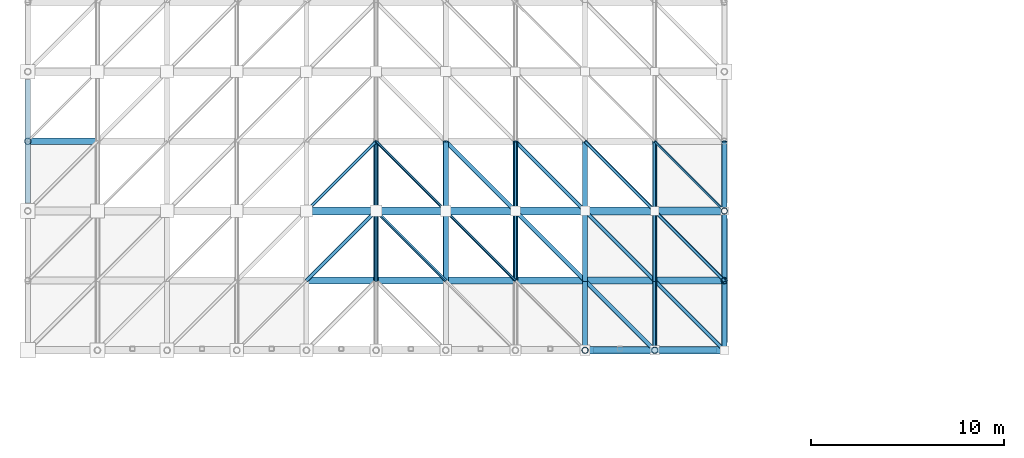
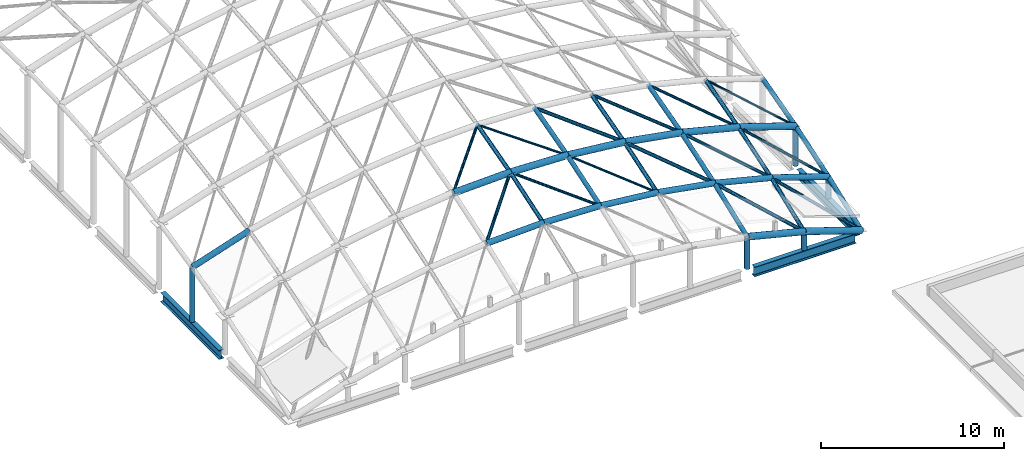
# One storey, part 3 of 40: 49 members, 3 beams.
"""IFC4 building model written with IfcOpenShell, lengths in metres."""

from ifc_helpers import new_model, si_unit, direction, frame, origin, origin_2d, place, context, subcontext, project, spatial, hollow_circle, i_section, extrude, material, material_profile, profile_set, type_object, element, save


model = new_model("IFC4")

# Units and contexts
model_context = context("Model", 3, precision=1e-05, world=origin(), true_north=direction((0.0, 1.0)))
body_context = subcontext(model_context, "Body", "Model", "MODEL_VIEW")
ifc_project = project(units=[si_unit("LENGTHUNIT", "METRE"), si_unit("AREAUNIT", "SQUARE_METRE"), si_unit("VOLUMEUNIT", "CUBIC_METRE"), si_unit("PLANEANGLEUNIT", "RADIAN"), si_unit("MASSUNIT", "GRAM", prefix="KILO")], contexts=[model_context])

# Site, building, storey
site_placement = place(None, origin())
site = spatial("IfcSite", under=ifc_project, at=site_placement, CompositionType="ELEMENT")
building_placement = place(site_placement, origin())
building = spatial("IfcBuilding", under=site, at=building_placement, Name="Kavelor Marine Aquarium", CompositionType="ELEMENT")
storey_placement = place(building_placement, frame((0.0, 0.0, 17.639892578125)))
storey = spatial("IfcBuildingStorey", under=building, at=storey_placement, Name="L04", CompositionType="ELEMENT", Elevation=17.639892578125)

# Beams
ifc_material_1 = material(Name="Steel S355", Category="steel")
ifc_material_profile_1 = material_profile(ifc_material_1, i_section(OverallWidth=0.300048828125, OverallDepth=0.64990234375, WebThickness=0.01611328125, FlangeThickness=0.031005859375, FilletRadius=0.027099609375, at=origin_2d()), Name="HEB 650")
ifc_profile_set_1 = profile_set([ifc_material_profile_1], Name="Steel S355")
beam_type_1 = type_object("IfcBeamType", Name="BM-SB1", PredefinedType="BEAM", material=ifc_profile_set_1)
beam_placement = place(storey_placement, frame((32.39990234375, 24.39990234375, -0.324951171875), z_axis=(1.0, 0.0, 0.0), x_axis=(0.0, 1.0, 0.0)))
element("IfcBeam", 1, at=beam_placement, inside=storey, type_object=beam_type_1, Name="bm:x:L04:L04:04_03", PredefinedType="BEAM", context=body_context, shape_type="SweptSolid", body=[
    extrude(i_section(OverallWidth=0.300048828125, OverallDepth=0.64990234375, WebThickness=0.01611328125, FlangeThickness=0.031005859375, FilletRadius=0.027099609375, at=origin_2d()), origin(), (0.0, 0.0, 1.0), 6.400146484375),
])
ifc_material_2 = material(Name="Steel S355", Category="steel")
ifc_material_profile_2 = material_profile(ifc_material_2, i_section(OverallWidth=0.300048828125, OverallDepth=0.60009765625, WebThickness=0.015380859375, FlangeThickness=0.030029296875, FilletRadius=0.027099609375, at=origin_2d()), Name="HEB 600")
ifc_profile_set_2 = profile_set([ifc_material_profile_2], Name="Steel S355")
beam_type_2 = type_object("IfcBeamType", Name="BM-SB2", PredefinedType="BEAM", material=ifc_profile_set_2)
for number, where, z_axis, x_axis, name in (
    (2, (3.199951171875, 32.0, -0.2998046875), (0.0, 1.0, 0.0), (-1.0, 0.0, 0.0), "bm:y:L04:L04:00_04"),
    (3, (39.199951171875, 24.800048828125, -0.2998046875), (0.0, 1.0, 0.0), (-1.0, 0.0, 0.0), "bm:y:L04:L04:05_03"),
):
    element("IfcBeam", number, at=place(storey_placement, frame(where, z_axis=z_axis, x_axis=x_axis)), inside=storey, type_object=beam_type_2, Name=name, PredefinedType="BEAM", context=body_context, shape_type="SweptSolid", body=[
        extrude(i_section(OverallWidth=0.300048828125, OverallDepth=0.60009765625, WebThickness=0.015380859375, FlangeThickness=0.030029296875, FilletRadius=0.027099609375, at=origin_2d()), origin(), (0.0, 0.0, 1.0), 6.39990234375),
    ])

# Members
ifc_material_3 = material(Name="Steel S355", Category="steel")
ifc_material_profile_3 = material_profile(ifc_material_3, hollow_circle(Radius=0.109619140625, WallThickness=0.0087890625, at=origin_2d()), Name="CHS 219.1x8.8")
ifc_profile_set_3 = profile_set([ifc_material_profile_3], Name="Steel S355")
member_type_1 = type_object("IfcMemberType", Name="GS-BR1", PredefinedType="BRACE", material=ifc_profile_set_3)
member_1_placement = place(storey_placement, frame((28.39990234375, 31.60009765625, 5.302734375), z_axis=(-0.682885077652, 0.682885077652, 0.259491698209), x_axis=(-0.707106781187, -0.707106781187, 0.0)))
element("IfcMember", 4, at=member_1_placement, inside=storey, type_object=member_type_1, Name="gs:diag:06_02", PredefinedType="BRACE", context=body_context, shape_type="SweptSolid", body=[
    extrude(hollow_circle(Radius=0.109619140625, WallThickness=0.0087890625, at=origin_2d()), origin(), (0.0, 0.0, 1.0), 5.271484375),
])
member_2_placement = place(storey_placement, frame((32.0, 28.0, 3.479736328125), z_axis=(-0.665718287441, 0.665718287441, 0.337102838215), x_axis=(-0.707106781187, -0.707106781187, 0.0)))
element("IfcMember", 5, at=member_2_placement, inside=storey, type_object=member_type_1, Name="gs:diag:07_01", PredefinedType="BRACE", context=body_context, shape_type="SweptSolid", body=[
    extrude(hollow_circle(Radius=0.109619140625, WallThickness=0.0087890625, at=origin_2d()), origin(), (0.0, 0.0, 1.0), 5.407958984375),
])
member_3_placement = place(storey_placement, frame((35.60009765625, 24.39990234375, 1.18115234375), z_axis=(-0.644470320194, 0.644470320194, 0.411480270217), x_axis=(-0.707106781187, -0.707106781187, 0.0)))
element("IfcMember", 6, at=member_3_placement, inside=storey, type_object=member_type_1, Name="gs:diag:08_00", PredefinedType="BRACE", context=body_context, shape_type="SweptSolid", body=[
    extrude(hollow_circle(Radius=0.109619140625, WallThickness=0.0087890625, at=origin_2d()), origin(), (0.0, 0.0, 1.0), 5.586181640625),
])
ifc_material_4 = material(Name="Steel S355", Category="steel")
ifc_material_profile_4 = material_profile(ifc_material_4, hollow_circle(Radius=0.096923828125, WallThickness=0.008056640625, at=origin_2d()), Name="CHS 193.7x8.0")
ifc_profile_set_4 = profile_set([ifc_material_profile_4], Name="Steel S355")
member_type_2 = type_object("IfcMemberType", Name="GS-BR2", PredefinedType="BRACE", material=ifc_profile_set_4)
member_4_placement = place(storey_placement, frame((17.60009765625, 28.0, 4.48876953125), z_axis=(0.684616431849, 0.684662862261, 0.250074201556), x_axis=(-0.707130757816, 0.707082803744, 0.0)))
element("IfcMember", 7, at=member_4_placement, inside=storey, type_object=member_type_2, Name="gs:diag:04_01", PredefinedType="BRACE", context=body_context, shape_type="SweptSolid", body=[
    extrude(hollow_circle(Radius=0.096923828125, WallThickness=0.008056640625, at=origin_2d()), origin(), (0.0, 0.0, 1.0), 5.25830078125),
])
member_5_placement = place(storey_placement, frame((32.0, 31.60009765625, 4.669677734375), z_axis=(-0.673657475101, 0.673611791019, 0.304027566581), x_axis=(-0.707082803744, -0.707130757816, 0.0)))
element("IfcMember", 8, at=member_5_placement, inside=storey, type_object=member_type_2, Name="gs:diag:07_02", PredefinedType="BRACE", context=body_context, shape_type="SweptSolid", body=[
    extrude(hollow_circle(Radius=0.096923828125, WallThickness=0.008056640625, at=origin_2d()), origin(), (0.0, 0.0, 1.0), 5.343994140625),
])
member_6_placement = place(storey_placement, frame((35.60009765625, 28.0, 2.580078125), z_axis=(-0.654154272173, 0.654154272173, 0.379689842366), x_axis=(-0.707106781187, -0.707106781187, 0.0)))
element("IfcMember", 9, at=member_6_placement, inside=storey, type_object=member_type_2, Name="gs:diag:08_01", PredefinedType="BRACE", context=body_context, shape_type="SweptSolid", body=[
    extrude(hollow_circle(Radius=0.096923828125, WallThickness=0.008056640625, at=origin_2d()), origin(), (0.0, 0.0, 1.0), 5.50341796875),
])
member_7_placement = place(storey_placement, frame((39.199951171875, 24.39990234375, 0.0), z_axis=(-0.630714681574, 0.630757456391, 0.452044269574), x_axis=(-0.707130757816, -0.707082803744, 0.0)))
element("IfcMember", 10, at=member_7_placement, inside=storey, type_object=member_type_2, Name="gs:diag:09_00", PredefinedType="BRACE", context=body_context, shape_type="SweptSolid", body=[
    extrude(hollow_circle(Radius=0.096923828125, WallThickness=0.008056640625, at=origin_2d()), origin(), (0.0, 0.0, 1.0), 5.70751953125),
])
ifc_material_5 = material(Name="Steel S355", Category="steel")
ifc_material_profile_5 = material_profile(ifc_material_5, hollow_circle(Radius=0.084228515625, WallThickness=0.007080078125, at=origin_2d()), Name="CHS 168.3x7.1")
ifc_profile_set_5 = profile_set([ifc_material_profile_5], Name="Steel S355")
member_type_3 = type_object("IfcMemberType", Name="GS-BR3", PredefinedType="BRACE", material=ifc_profile_set_5)
member_8_placement = place(storey_placement, frame((17.60009765625, 31.60009765625, 5.678955078125), z_axis=(0.690693023543, 0.690693023543, 0.214210864473), x_axis=(-0.707106781187, 0.707106781187, 0.0)))
element("IfcMember", 11, at=member_8_placement, inside=storey, type_object=member_type_3, Name="gs:diag:04_02", PredefinedType="BRACE", context=body_context, shape_type="SweptSolid", body=[
    extrude(hollow_circle(Radius=0.084228515625, WallThickness=0.007080078125, at=origin_2d()), origin(), (0.0, 0.0, 1.0), 5.2119140625),
])
member_9_placement = place(storey_placement, frame((24.800048828125, 28.0, 4.48876953125), z_axis=(-0.684641099166, 0.684641099166, 0.250066252551), x_axis=(-0.707106781187, -0.707106781187, 0.0)))
element("IfcMember", 12, at=member_9_placement, inside=storey, type_object=member_type_3, Name="gs:diag:05_01", PredefinedType="BRACE", context=body_context, shape_type="SweptSolid", body=[
    extrude(hollow_circle(Radius=0.084228515625, WallThickness=0.007080078125, at=origin_2d()), origin(), (0.0, 0.0, 1.0), 5.25830078125),
])
member_10_placement = place(storey_placement, frame((35.60009765625, 31.60009765625, 3.77001953125), z_axis=(-0.662866743734, 0.662821791425, 0.348245535312), x_axis=(-0.707082803744, -0.707130757816, 0.0)))
element("IfcMember", 13, at=member_10_placement, inside=storey, type_object=member_type_3, Name="gs:diag:08_02", PredefinedType="BRACE", context=body_context, shape_type="SweptSolid", body=[
    extrude(hollow_circle(Radius=0.084228515625, WallThickness=0.007080078125, at=origin_2d()), origin(), (0.0, 0.0, 1.0), 5.43115234375),
])
member_11_placement = place(storey_placement, frame((39.199951171875, 28.0, 1.39892578125), z_axis=(-0.640976409741, 0.641019880504, 0.422188056385), x_axis=(-0.707130757816, -0.707082803744, 0.0)))
element("IfcMember", 14, at=member_11_placement, inside=storey, type_object=member_type_3, Name="gs:diag:09_01", PredefinedType="BRACE", context=body_context, shape_type="SweptSolid", body=[
    extrude(hollow_circle(Radius=0.084228515625, WallThickness=0.007080078125, at=origin_2d()), origin(), (0.0, 0.0, 1.0), 5.6162109375),
])
ifc_material_6 = material(Name="Steel S355", Category="steel")
ifc_material_profile_6 = material_profile(ifc_material_6, hollow_circle(Radius=0.06982421875, WallThickness=0.00634765625, at=origin_2d()), Name="CHS 139.7x6.3")
ifc_profile_set_6 = profile_set([ifc_material_profile_6], Name="Steel S355")
member_type_4 = type_object("IfcMemberType", Name="GS-BR4", PredefinedType="BRACE", material=ifc_profile_set_6)
member_12_placement = place(storey_placement, frame((24.800048828125, 31.60009765625, 5.678955078125), z_axis=(-0.690717518331, 0.690670677322, 0.214203934038), x_axis=(-0.707082803744, -0.707130757816, 0.0)))
element("IfcMember", 15, at=member_12_placement, inside=storey, type_object=member_type_4, Name="gs:diag:05_02", PredefinedType="BRACE", context=body_context, shape_type="SweptSolid", body=[
    extrude(hollow_circle(Radius=0.06982421875, WallThickness=0.00634765625, at=origin_2d()), origin(), (0.0, 0.0, 1.0), 5.212158203125),
])
member_13_placement = place(storey_placement, frame((28.39990234375, 28.0, 4.11279296875), z_axis=(-0.675827614267, 0.675873448626, 0.294027408988), x_axis=(-0.707130757816, -0.707082803744, 0.0)))
element("IfcMember", 16, at=member_13_placement, inside=storey, type_object=member_type_4, Name="gs:diag:06_01", PredefinedType="BRACE", context=body_context, shape_type="SweptSolid", body=[
    extrude(hollow_circle(Radius=0.06982421875, WallThickness=0.00634765625, at=origin_2d()), origin(), (0.0, 0.0, 1.0), 5.32666015625),
])
member_14_placement = place(storey_placement, frame((39.199951171875, 31.60009765625, 2.5888671875), z_axis=(-0.65034873272, 0.65034873272, 0.392546878346), x_axis=(-0.707106781187, -0.707106781187, 0.0)))
element("IfcMember", 17, at=member_14_placement, inside=storey, type_object=member_type_4, Name="gs:diag:09_02", PredefinedType="BRACE", context=body_context, shape_type="SweptSolid", body=[
    extrude(hollow_circle(Radius=0.06982421875, WallThickness=0.00634765625, at=origin_2d()), origin(), (0.0, 0.0, 1.0), 5.53515625),
])
ifc_material_7 = material(Name="Steel S355", Category="steel")
ifc_material_profile_7 = material_profile(ifc_material_7, hollow_circle(Radius=0.203125, WallThickness=0.01611328125, at=origin_2d()), Name="CHS 406.4x16.0")
ifc_profile_set_7 = profile_set([ifc_material_profile_7], Name="Steel S355")
member_type_5 = type_object("IfcMemberType", Name="GS-CH1", PredefinedType="CHORD", material=ifc_profile_set_7)
member_15_placement = place(storey_placement, frame((32.0, 24.39990234375, 2.0810546875), z_axis=(0.970150239738, 0.0, -0.242504664565), x_axis=(0.0, 1.0, 0.0)))
element("IfcMember", 18, at=member_15_placement, inside=storey, type_object=member_type_5, Name="gs:arch:08_00", PredefinedType="CHORD", context=body_context, shape_type="SweptSolid", body=[
    extrude(hollow_circle(Radius=0.203125, WallThickness=0.01611328125, at=origin_2d()), origin(), (0.0, 0.0, 1.0), 3.7109375),
])
member_16_placement = place(storey_placement, frame((35.60009765625, 24.39990234375, 1.18115234375), z_axis=(0.950161341447, 0.0, -0.311758600876), x_axis=(0.0, 1.0, 0.0)))
element("IfcMember", 19, at=member_16_placement, inside=storey, type_object=member_type_5, Name="gs:arch:09_00", PredefinedType="CHORD", context=body_context, shape_type="SweptSolid", body=[
    extrude(hollow_circle(Radius=0.203125, WallThickness=0.01611328125, at=origin_2d()), origin(), (0.0, 0.0, 1.0), 3.78857421875),
])
member_17_placement = place(storey_placement, frame((17.60009765625, 31.60009765625, 5.678955078125), z_axis=(0.999400027608, 0.0, 0.034635022998), x_axis=(0.0, 1.0, 0.0)))
element("IfcMember", 20, at=member_17_placement, inside=storey, type_object=member_type_5, Name="gs:arch:04_02", PredefinedType="CHORD", context=body_context, shape_type="SweptSolid", body=[
    extrude(hollow_circle(Radius=0.203125, WallThickness=0.01611328125, at=origin_2d()), origin(), (0.0, 0.0, 1.0), 3.60205078125),
])
member_18_placement = place(storey_placement, frame((21.199951171875, 31.60009765625, 5.8037109375), z_axis=(0.999400108906, 0.0, -0.034632677041), x_axis=(0.0, 1.0, 0.0)))
element("IfcMember", 21, at=member_18_placement, inside=storey, type_object=member_type_5, Name="gs:arch:05_02", PredefinedType="CHORD", context=body_context, shape_type="SweptSolid", body=[
    extrude(hollow_circle(Radius=0.203125, WallThickness=0.01611328125, at=origin_2d()), origin(), (0.0, 0.0, 1.0), 3.602294921875),
])
member_19_placement = place(storey_placement, frame((24.800048828125, 31.60009765625, 5.678955078125), z_axis=(0.994583162832, 0.0, -0.10394388972), x_axis=(0.0, 1.0, 0.0)))
element("IfcMember", 22, at=member_19_placement, inside=storey, type_object=member_type_5, Name="gs:arch:06_02", PredefinedType="CHORD", context=body_context, shape_type="SweptSolid", body=[
    extrude(hollow_circle(Radius=0.203125, WallThickness=0.01611328125, at=origin_2d()), origin(), (0.0, 0.0, 1.0), 3.619384765625),
])
member_20_placement = place(storey_placement, frame((28.39990234375, 31.60009765625, 5.302734375), z_axis=(0.984888941579, 0.0, -0.173187103317), x_axis=(0.0, 1.0, 0.0)))
element("IfcMember", 23, at=member_20_placement, inside=storey, type_object=member_type_5, Name="gs:arch:07_02", PredefinedType="CHORD", context=body_context, shape_type="SweptSolid", body=[
    extrude(hollow_circle(Radius=0.203125, WallThickness=0.01611328125, at=origin_2d()), origin(), (0.0, 0.0, 1.0), 3.6552734375),
])
member_21_placement = place(storey_placement, frame((32.0, 31.60009765625, 4.669677734375), z_axis=(0.97016571633, 0.0, -0.2424427414), x_axis=(0.0, 1.0, 0.0)))
element("IfcMember", 24, at=member_21_placement, inside=storey, type_object=member_type_5, Name="gs:arch:08_02", PredefinedType="CHORD", context=body_context, shape_type="SweptSolid", body=[
    extrude(hollow_circle(Radius=0.203125, WallThickness=0.01611328125, at=origin_2d()), origin(), (0.0, 0.0, 1.0), 3.710693359375),
])
member_22_placement = place(storey_placement, frame((35.60009765625, 31.60009765625, 3.77001953125), z_axis=(0.950161341447, 0.0, -0.311758600876), x_axis=(0.0, 1.0, 0.0)))
element("IfcMember", 25, at=member_22_placement, inside=storey, type_object=member_type_5, Name="gs:arch:09_02", PredefinedType="CHORD", context=body_context, shape_type="SweptSolid", body=[
    extrude(hollow_circle(Radius=0.203125, WallThickness=0.01611328125, at=origin_2d()), origin(), (0.0, 0.0, 1.0), 3.78857421875),
])
ifc_material_8 = material(Name="Steel S355", Category="steel")
ifc_material_profile_8 = material_profile(ifc_material_8, hollow_circle(Radius=0.177734375, WallThickness=0.01416015625, at=origin_2d()), Name="CHS 355.6x14.2")
ifc_profile_set_8 = profile_set([ifc_material_profile_8], Name="Steel S355")
member_type_6 = type_object("IfcMemberType", Name="GS-CH2", PredefinedType="CHORD", material=ifc_profile_set_8)
member_23_placement = place(storey_placement, frame((17.60009765625, 28.0, 4.48876953125), z_axis=(0.999400027608, 0.0, 0.034635022998), x_axis=(0.0, 1.0, 0.0)))
element("IfcMember", 26, at=member_23_placement, inside=storey, type_object=member_type_6, Name="gs:arch:04_01", PredefinedType="CHORD", context=body_context, shape_type="SweptSolid", body=[
    extrude(hollow_circle(Radius=0.177734375, WallThickness=0.01416015625, at=origin_2d()), origin(), (0.0, 0.0, 1.0), 3.60205078125),
])
member_24_placement = place(storey_placement, frame((21.199951171875, 28.0, 4.613525390625), z_axis=(0.999400108906, 0.0, -0.034632677041), x_axis=(0.0, 1.0, 0.0)))
element("IfcMember", 27, at=member_24_placement, inside=storey, type_object=member_type_6, Name="gs:arch:05_01", PredefinedType="CHORD", context=body_context, shape_type="SweptSolid", body=[
    extrude(hollow_circle(Radius=0.177734375, WallThickness=0.01416015625, at=origin_2d()), origin(), (0.0, 0.0, 1.0), 3.602294921875),
])
member_25_placement = place(storey_placement, frame((24.800048828125, 28.0, 4.48876953125), z_axis=(0.994590133912, 0.0, -0.103877165563), x_axis=(0.0, 1.0, 0.0)))
element("IfcMember", 28, at=member_25_placement, inside=storey, type_object=member_type_6, Name="gs:arch:06_01", PredefinedType="CHORD", context=body_context, shape_type="SweptSolid", body=[
    extrude(hollow_circle(Radius=0.177734375, WallThickness=0.01416015625, at=origin_2d()), origin(), (0.0, 0.0, 1.0), 3.619384765625),
])
member_26_placement = place(storey_placement, frame((28.39990234375, 28.0, 4.11279296875), z_axis=(0.984888941579, 0.0, -0.173187103317), x_axis=(0.0, 1.0, 0.0)))
element("IfcMember", 29, at=member_26_placement, inside=storey, type_object=member_type_6, Name="gs:arch:07_01", PredefinedType="CHORD", context=body_context, shape_type="SweptSolid", body=[
    extrude(hollow_circle(Radius=0.177734375, WallThickness=0.01416015625, at=origin_2d()), origin(), (0.0, 0.0, 1.0), 3.6552734375),
])
member_27_placement = place(storey_placement, frame((32.0, 28.0, 3.479736328125), z_axis=(0.97016571633, 0.0, -0.2424427414), x_axis=(0.0, 1.0, 0.0)))
element("IfcMember", 30, at=member_27_placement, inside=storey, type_object=member_type_6, Name="gs:arch:08_01", PredefinedType="CHORD", context=body_context, shape_type="SweptSolid", body=[
    extrude(hollow_circle(Radius=0.177734375, WallThickness=0.01416015625, at=origin_2d()), origin(), (0.0, 0.0, 1.0), 3.710693359375),
])
member_28_placement = place(storey_placement, frame((35.60009765625, 28.0, 2.580078125), z_axis=(0.950161341447, 0.0, -0.311758600876), x_axis=(0.0, 1.0, 0.0)))
element("IfcMember", 31, at=member_28_placement, inside=storey, type_object=member_type_6, Name="gs:arch:09_01", PredefinedType="CHORD", context=body_context, shape_type="SweptSolid", body=[
    extrude(hollow_circle(Radius=0.177734375, WallThickness=0.01416015625, at=origin_2d()), origin(), (0.0, 0.0, 1.0), 3.78857421875),
])
member_29_placement = place(storey_placement, frame((3.199951171875, 35.199951171875, 3.58056640625), z_axis=(0.950167603973, 0.0, 0.311739513632), x_axis=(0.0, 1.0, 0.0)))
element("IfcMember", 32, at=member_29_placement, inside=storey, type_object=member_type_6, Name="gs:arch:00_03", PredefinedType="CHORD", context=body_context, shape_type="SweptSolid", body=[
    extrude(hollow_circle(Radius=0.177734375, WallThickness=0.01416015625, at=origin_2d()), origin(), (0.0, 0.0, 1.0), 3.788818359375),
])
ifc_material_9 = material(Name="Steel S355", Category="steel")
ifc_material_profile_9 = material_profile(ifc_material_9, hollow_circle(Radius=0.161865234375, WallThickness=0.012451171875, at=origin_2d()), Name="CHS 323.9x12.5")
ifc_profile_set_9 = profile_set([ifc_material_profile_9], Name="Steel S355")
member_type_7 = type_object("IfcMemberType", Name="GS-CH3", PredefinedType="CHORD", material=ifc_profile_set_9)
member_30_placement = place(storey_placement, frame((32.0, 24.39990234375, 0.0), z_axis=(0.0, 0.0, 1.0), x_axis=(1.0, 0.0, 0.0)))
element("IfcMember", 33, at=member_30_placement, inside=storey, type_object=member_type_7, Name="gs:post:y:08_00", PredefinedType="CHORD", context=body_context, shape_type="SweptSolid", body=[
    extrude(hollow_circle(Radius=0.161865234375, WallThickness=0.012451171875, at=origin_2d()), origin(), (0.0, 0.0, 1.0), 2.0810546875),
])
member_31_placement = place(storey_placement, frame((35.60009765625, 24.39990234375, 0.0), z_axis=(0.0, 0.0, 1.0), x_axis=(1.0, 0.0, 0.0)))
element("IfcMember", 34, at=member_31_placement, inside=storey, type_object=member_type_7, Name="gs:post:y:09_00", PredefinedType="CHORD", context=body_context, shape_type="SweptSolid", body=[
    extrude(hollow_circle(Radius=0.161865234375, WallThickness=0.012451171875, at=origin_2d()), origin(), (0.0, 0.0, 1.0), 1.18115234375),
])
member_32_placement = place(storey_placement, frame((39.199951171875, 28.0, 0.0), z_axis=(0.0, 0.0, 1.0), x_axis=(1.0, 0.0, 0.0)))
element("IfcMember", 35, at=member_32_placement, inside=storey, type_object=member_type_7, Name="gs:post:x:10_01", PredefinedType="CHORD", context=body_context, shape_type="SweptSolid", body=[
    extrude(hollow_circle(Radius=0.161865234375, WallThickness=0.012451171875, at=origin_2d()), origin(), (0.0, 0.0, 1.0), 1.39892578125),
])
member_33_placement = place(storey_placement, frame((39.199951171875, 31.60009765625, 0.0), z_axis=(0.0, 0.0, 1.0), x_axis=(1.0, 0.0, 0.0)))
element("IfcMember", 36, at=member_33_placement, inside=storey, type_object=member_type_7, Name="gs:post:x:10_02", PredefinedType="CHORD", context=body_context, shape_type="SweptSolid", body=[
    extrude(hollow_circle(Radius=0.161865234375, WallThickness=0.012451171875, at=origin_2d()), origin(), (0.0, 0.0, 1.0), 2.5888671875),
])
member_34_placement = place(storey_placement, frame((3.199951171875, 35.199951171875, 0.0), z_axis=(0.0, 0.0, 1.0), x_axis=(1.0, 0.0, 0.0)))
element("IfcMember", 37, at=member_34_placement, inside=storey, type_object=member_type_7, Name="gs:post:x:00_03", PredefinedType="CHORD", context=body_context, shape_type="SweptSolid", body=[
    extrude(hollow_circle(Radius=0.161865234375, WallThickness=0.012451171875, at=origin_2d()), origin(), (0.0, 0.0, 1.0), 3.58056640625),
])
ifc_material_10 = material(Name="Steel S355", Category="steel")
ifc_material_profile_10 = material_profile(ifc_material_10, hollow_circle(Radius=0.136474609375, WallThickness=0.010009765625, at=origin_2d()), Name="CHS 273.0x10.0")
ifc_profile_set_10 = profile_set([ifc_material_profile_10], Name="Steel S355")
member_type_8 = type_object("IfcMemberType", Name="GS-CH4", PredefinedType="CHORD", material=ifc_profile_set_10)
member_35_placement = place(storey_placement, frame((24.800048828125, 28.0, 4.48876953125), z_axis=(0.0, 0.949459508808, 0.313889536514), x_axis=(-1.0, 0.0, 0.0)))
element("IfcMember", 38, at=member_35_placement, inside=storey, type_object=member_type_8, Name="gs:long:06_01", PredefinedType="CHORD", context=body_context, shape_type="SweptSolid", body=[
    extrude(hollow_circle(Radius=0.136474609375, WallThickness=0.010009765625, at=origin_2d()), origin(), (0.0, 0.0, 1.0), 3.791748046875),
])
member_36_placement = place(storey_placement, frame((24.800048828125, 31.60009765625, 5.678955078125), z_axis=(0.0, 0.964086191144, 0.265589563135), x_axis=(-1.0, 0.0, 0.0)))
element("IfcMember", 39, at=member_36_placement, inside=storey, type_object=member_type_8, Name="gs:long:06_02", PredefinedType="CHORD", context=body_context, shape_type="SweptSolid", body=[
    extrude(hollow_circle(Radius=0.136474609375, WallThickness=0.010009765625, at=origin_2d()), origin(), (0.0, 0.0, 1.0), 3.73388671875),
])
member_37_placement = place(storey_placement, frame((32.0, 24.39990234375, 2.0810546875), z_axis=(0.0, 0.932123249924, 0.362141197533), x_axis=(-1.0, 0.0, 0.0)))
element("IfcMember", 40, at=member_37_placement, inside=storey, type_object=member_type_8, Name="gs:long:08_00", PredefinedType="CHORD", context=body_context, shape_type="SweptSolid", body=[
    extrude(hollow_circle(Radius=0.136474609375, WallThickness=0.010009765625, at=origin_2d()), origin(), (0.0, 0.0, 1.0), 3.8623046875),
])
member_38_placement = place(storey_placement, frame((32.0, 28.0, 3.479736328125), z_axis=(0.0, 0.949478696562, 0.313831491051), x_axis=(-1.0, 0.0, 0.0)))
element("IfcMember", 41, at=member_38_placement, inside=storey, type_object=member_type_8, Name="gs:long:08_01", PredefinedType="CHORD", context=body_context, shape_type="SweptSolid", body=[
    extrude(hollow_circle(Radius=0.136474609375, WallThickness=0.010009765625, at=origin_2d()), origin(), (0.0, 0.0, 1.0), 3.791748046875),
])
member_39_placement = place(storey_placement, frame((32.0, 31.60009765625, 4.669677734375), z_axis=(0.0, 0.964086191144, 0.265589563135), x_axis=(-1.0, 0.0, 0.0)))
element("IfcMember", 42, at=member_39_placement, inside=storey, type_object=member_type_8, Name="gs:long:08_02", PredefinedType="CHORD", context=body_context, shape_type="SweptSolid", body=[
    extrude(hollow_circle(Radius=0.136474609375, WallThickness=0.010009765625, at=origin_2d()), origin(), (0.0, 0.0, 1.0), 3.73388671875),
])
member_40_placement = place(storey_placement, frame((39.199951171875, 24.39990234375, 0.0), z_axis=(0.0, 0.932101910958, 0.362196117577), x_axis=(-1.0, 0.0, 0.0)))
element("IfcMember", 43, at=member_40_placement, inside=storey, type_object=member_type_8, Name="gs:long:10_00", PredefinedType="CHORD", context=body_context, shape_type="SweptSolid", body=[
    extrude(hollow_circle(Radius=0.136474609375, WallThickness=0.010009765625, at=origin_2d()), origin(), (0.0, 0.0, 1.0), 3.8623046875),
])
member_41_placement = place(storey_placement, frame((39.199951171875, 28.0, 1.39892578125), z_axis=(0.0, 0.949478696562, 0.313831491051), x_axis=(-1.0, 0.0, 0.0)))
element("IfcMember", 44, at=member_41_placement, inside=storey, type_object=member_type_8, Name="gs:long:10_01", PredefinedType="CHORD", context=body_context, shape_type="SweptSolid", body=[
    extrude(hollow_circle(Radius=0.136474609375, WallThickness=0.010009765625, at=origin_2d()), origin(), (0.0, 0.0, 1.0), 3.791748046875),
])
member_42_placement = place(storey_placement, frame((39.199951171875, 31.60009765625, 2.5888671875), z_axis=(0.0, 0.964086191144, 0.265589563135), x_axis=(-1.0, 0.0, 0.0)))
element("IfcMember", 45, at=member_42_placement, inside=storey, type_object=member_type_8, Name="gs:long:10_02", PredefinedType="CHORD", context=body_context, shape_type="SweptSolid", body=[
    extrude(hollow_circle(Radius=0.136474609375, WallThickness=0.010009765625, at=origin_2d()), origin(), (0.0, 0.0, 1.0), 3.73388671875),
])
ifc_material_11 = material(Name="Steel S355", Category="steel")
ifc_material_profile_11 = material_profile(ifc_material_11, hollow_circle(Radius=0.122314453125, WallThickness=0.010009765625, at=origin_2d()), Name="CHS 244.5x10.0")
ifc_profile_set_11 = profile_set([ifc_material_profile_11], Name="Steel S355")
member_type_9 = type_object("IfcMemberType", Name="GS-CH5", PredefinedType="CHORD", material=ifc_profile_set_11)
member_43_placement = place(storey_placement, frame((21.199951171875, 28.0, 4.613525390625), z_axis=(0.0, 0.949459508808, 0.313889536514), x_axis=(-1.0, 0.0, 0.0)))
element("IfcMember", 46, at=member_43_placement, inside=storey, type_object=member_type_9, Name="gs:long:05_01", PredefinedType="CHORD", context=body_context, shape_type="SweptSolid", body=[
    extrude(hollow_circle(Radius=0.122314453125, WallThickness=0.010009765625, at=origin_2d()), origin(), (0.0, 0.0, 1.0), 3.791748046875),
])
member_44_placement = place(storey_placement, frame((21.199951171875, 31.60009765625, 5.8037109375), z_axis=(0.0, 0.964086191144, 0.265589563135), x_axis=(-1.0, 0.0, 0.0)))
element("IfcMember", 47, at=member_44_placement, inside=storey, type_object=member_type_9, Name="gs:long:05_02", PredefinedType="CHORD", context=body_context, shape_type="SweptSolid", body=[
    extrude(hollow_circle(Radius=0.122314453125, WallThickness=0.010009765625, at=origin_2d()), origin(), (0.0, 0.0, 1.0), 3.73388671875),
])
member_45_placement = place(storey_placement, frame((28.39990234375, 28.0, 4.11279296875), z_axis=(0.0, 0.949478696562, 0.313831491051), x_axis=(-1.0, 0.0, 0.0)))
element("IfcMember", 48, at=member_45_placement, inside=storey, type_object=member_type_9, Name="gs:long:07_01", PredefinedType="CHORD", context=body_context, shape_type="SweptSolid", body=[
    extrude(hollow_circle(Radius=0.122314453125, WallThickness=0.010009765625, at=origin_2d()), origin(), (0.0, 0.0, 1.0), 3.791748046875),
])
member_46_placement = place(storey_placement, frame((28.39990234375, 31.60009765625, 5.302734375), z_axis=(0.0, 0.964086191144, 0.265589563135), x_axis=(-1.0, 0.0, 0.0)))
element("IfcMember", 49, at=member_46_placement, inside=storey, type_object=member_type_9, Name="gs:long:07_02", PredefinedType="CHORD", context=body_context, shape_type="SweptSolid", body=[
    extrude(hollow_circle(Radius=0.122314453125, WallThickness=0.010009765625, at=origin_2d()), origin(), (0.0, 0.0, 1.0), 3.73388671875),
])
member_47_placement = place(storey_placement, frame((35.60009765625, 24.39990234375, 1.18115234375), z_axis=(0.0, 0.932101910958, 0.362196117577), x_axis=(-1.0, 0.0, 0.0)))
element("IfcMember", 50, at=member_47_placement, inside=storey, type_object=member_type_9, Name="gs:long:09_00", PredefinedType="CHORD", context=body_context, shape_type="SweptSolid", body=[
    extrude(hollow_circle(Radius=0.122314453125, WallThickness=0.010009765625, at=origin_2d()), origin(), (0.0, 0.0, 1.0), 3.8623046875),
])
member_48_placement = place(storey_placement, frame((35.60009765625, 28.0, 2.580078125), z_axis=(0.0, 0.949478696562, 0.313831491051), x_axis=(-1.0, 0.0, 0.0)))
element("IfcMember", 51, at=member_48_placement, inside=storey, type_object=member_type_9, Name="gs:long:09_01", PredefinedType="CHORD", context=body_context, shape_type="SweptSolid", body=[
    extrude(hollow_circle(Radius=0.122314453125, WallThickness=0.010009765625, at=origin_2d()), origin(), (0.0, 0.0, 1.0), 3.791748046875),
])
member_49_placement = place(storey_placement, frame((35.60009765625, 31.60009765625, 3.77001953125), z_axis=(0.0, 0.964086191144, 0.265589563135), x_axis=(-1.0, 0.0, 0.0)))
element("IfcMember", 52, at=member_49_placement, inside=storey, type_object=member_type_9, Name="gs:long:09_02", PredefinedType="CHORD", context=body_context, shape_type="SweptSolid", body=[
    extrude(hollow_circle(Radius=0.122314453125, WallThickness=0.010009765625, at=origin_2d()), origin(), (0.0, 0.0, 1.0), 3.73388671875),
])

save(model, "model.ifc")
